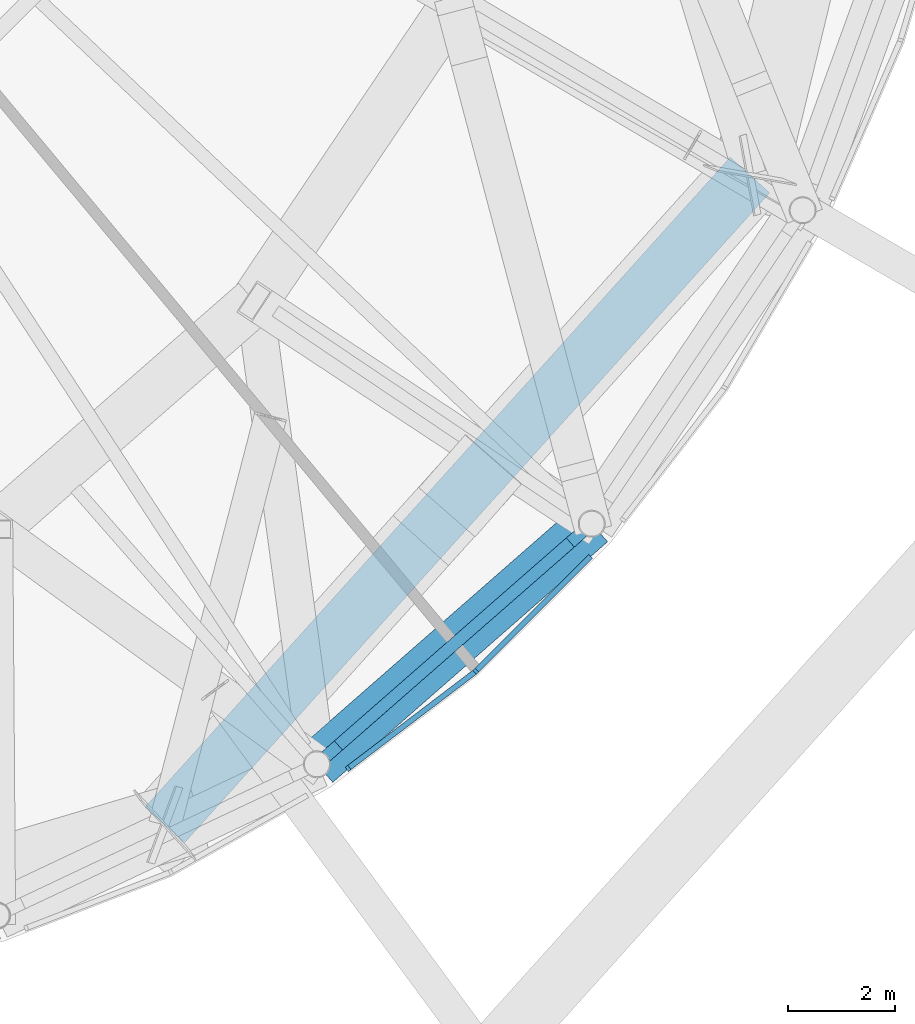
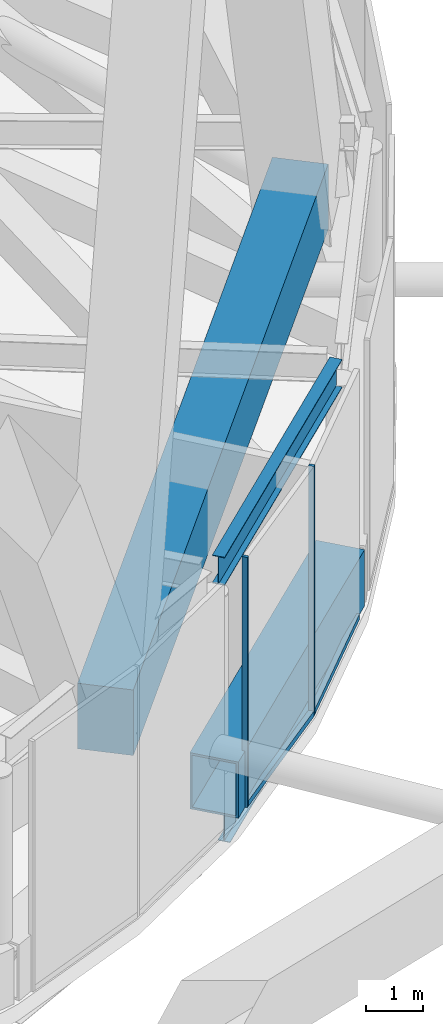
# One storey, part 18 of 60: 5 members, 3 beams, 2 elements without a shape of their own.
"""IFC4 building model written with IfcOpenShell, lengths in metres."""

from ifc_helpers import new_model, si_unit, direction, frame, origin, origin_2d, place, context, subcontext, project, spatial, rectangle, hollow_rectangle, i_section, extrude, material, layer, layer_set, material_profile, profile_set, type_object, element, aggregate, save


model = new_model("IFC4")

# Units and contexts
model_context = context("Model", 3, precision=1e-05, world=origin(), true_north=direction((0.0, 1.0)))
body_context = subcontext(model_context, "Body", "Model", "MODEL_VIEW")
ifc_project = project(units=[si_unit("LENGTHUNIT", "METRE"), si_unit("AREAUNIT", "SQUARE_METRE"), si_unit("VOLUMEUNIT", "CUBIC_METRE"), si_unit("PLANEANGLEUNIT", "RADIAN"), si_unit("MASSUNIT", "GRAM", prefix="KILO")], contexts=[model_context])

# Site, building, storey
site_placement = place(None, origin())
site = spatial("IfcSite", under=ifc_project, at=site_placement, CompositionType="ELEMENT")
building_placement = place(site_placement, origin())
building = spatial("IfcBuilding", under=site, at=building_placement, Name="Nagisa Residences", CompositionType="ELEMENT")
storey_placement = place(building_placement, frame((0.0, 0.0, 206.60009765625)))
storey = spatial("IfcBuildingStorey", under=building, at=storey_placement, Name="L52", CompositionType="ELEMENT", Elevation=206.60009765625)

# Beam
ifc_material_1 = material(Name="Steel ASTM A572 Gr 50", Category="steel")
ifc_material_profile_1 = material_profile(ifc_material_1, hollow_rectangle(XDim=0.89990234375, YDim=1.199951171875, WallThickness=0.044921875, at=origin_2d()), Name="BX 900x1200x45")
ifc_profile_set_1 = profile_set([ifc_material_profile_1], Name="Steel ASTM A572 Gr 50")
beam_type_1 = type_object("IfcBeamType", Name="Belt chord 4 BX 900x1200x45", PredefinedType="BEAM", material=ifc_profile_set_1)
beam_1_placement = place(storey_placement, frame((16.03759765625, -24.573486328125, 0.599853515625), z_axis=(0.752459604725, 0.658638400989, 0.0), x_axis=(-0.658638400989, 0.752459604725, 0.0)))
element("IfcBeam", 1, at=beam_1_placement, inside=storey, type_object=beam_type_1, Name="beam:L52:bt4b21", PredefinedType="BEAM", context=body_context, shape_type="SweptSolid", body=[
    extrude(hollow_rectangle(XDim=0.89990234375, YDim=1.199951171875, WallThickness=0.044921875, at=origin_2d()), origin(), (0.0, 0.0, 1.0), 6.846435546875),
])

# Curtain wall, member
ifc_material_2 = material(Name="Aluminium curtain wall system", Category="aluminium")
ifc_layer = layer(ifc_material_2, 0.159912109375)
ifc_layer_set = layer_set([ifc_layer], Name="CW5 CURTAIN WALL")
curtain_wall_type = type_object("IfcCurtainWallType", Name="CW5 CURTAIN WALL", PredefinedType="NOTDEFINED", material=ifc_layer_set)
curtain_wall_1_placement = place(storey_placement, origin())
curtain_wall_1 = element("IfcCurtainWall", 2, at=curtain_wall_1_placement, inside=storey, type_object=curtain_wall_type, Name="cw:CW5:L52:40", PredefinedType="NOTDEFINED")
ifc_material_3 = material(Name="Aluminium", Category="aluminium")
ifc_material_profile_2 = material_profile(ifc_material_3, rectangle(XDim=0.10009765625, YDim=0.06005859375, at=origin_2d()), Name="CW5 MULLION 100x60")
ifc_profile_set_2 = profile_set([ifc_material_profile_2], Name="Aluminium")
member_type_1 = type_object("IfcMemberType", Name="CW5 MULLION 100x60", PredefinedType="MULLION", material=ifc_profile_set_2)
member_1_placement = place(storey_placement, frame((16.62109375, -24.65234375, 0.0), z_axis=(0.0, 0.0, 1.0), x_axis=(-0.605255421737, 0.79603132756, 0.0)))
member_1 = element("IfcMember", 3, at=member_1_placement, type_object=member_type_1, Name="CW5 mullion", PredefinedType="MULLION", context=body_context, shape_type="SweptSolid", body=[
    extrude(rectangle(XDim=0.10009765625, YDim=0.06005859375, at=origin_2d()), origin(), (0.0, 0.0, 1.0), 5.33984375),
])

curtain_wall_2_placement = place(storey_placement, origin())
curtain_wall_2 = element("IfcCurtainWall", 4, at=curtain_wall_2_placement, inside=storey, type_object=curtain_wall_type, Name="cw:CW5:L52:41", PredefinedType="NOTDEFINED")
member_2_placement = place(storey_placement, frame((19.011962890625, -22.830322265625, 0.0), z_axis=(0.0, 0.0, 1.0), x_axis=(-0.706376885714, 0.707835924016, 0.0)))
member_2 = element("IfcMember", 5, at=member_2_placement, type_object=member_type_1, Name="CW5 mullion", PredefinedType="MULLION", context=body_context, shape_type="SweptSolid", body=[
    extrude(rectangle(XDim=0.10009765625, YDim=0.06005859375, at=origin_2d()), origin(), (0.0, 0.0, 1.0), 5.33984375),
])

# Member
ifc_material_4 = material(Name="Aluminium", Category="aluminium")
ifc_material_profile_3 = material_profile(ifc_material_4, rectangle(XDim=0.10009765625, YDim=0.1201171875, at=origin_2d()), Name="CW5 TRANSOM 100x120")
ifc_profile_set_3 = profile_set([ifc_material_profile_3], Name="Aluminium")
member_type_2 = type_object("IfcMemberType", Name="CW5 TRANSOM 100x120", PredefinedType="USERDEFINED", material=ifc_profile_set_3)
member_3_placement = place(storey_placement, frame((16.597412109375, -24.67041015625, 0.059814453125), z_axis=(0.796020258736, 0.605269979167, 0.0), x_axis=(-0.605269979167, 0.796020258736, 0.0)))
member_3 = element("IfcMember", 6, at=member_3_placement, type_object=member_type_2, Name="CW5 transom", ObjectType="TRANSOM", PredefinedType="USERDEFINED", context=body_context, shape_type="SweptSolid", body=[
    extrude(rectangle(XDim=0.10009765625, YDim=0.1201171875, at=origin_2d()), origin(), (0.0, 0.0, 1.0), 3.0166015625),
])

aggregate(curtain_wall_1, [member_1, member_3])

member_4_placement = place(storey_placement, frame((18.99072265625, -22.8515625, 0.059814453125), z_axis=(0.707820829563, 0.706392011022, 0.0), x_axis=(-0.706392011022, 0.707820829563, 0.0)))
member_4 = element("IfcMember", 7, at=member_4_placement, type_object=member_type_2, Name="CW5 transom", ObjectType="TRANSOM", PredefinedType="USERDEFINED", context=body_context, shape_type="SweptSolid", body=[
    extrude(rectangle(XDim=0.10009765625, YDim=0.1201171875, at=origin_2d()), origin(), (0.0, 0.0, 1.0), 3.07568359375),
])

aggregate(curtain_wall_2, [member_2, member_4])

ifc_material_5 = material(Name="Concrete C80", Category="concrete")
ifc_material_profile_4 = material_profile(ifc_material_5, rectangle(XDim=1.0, YDim=1.39990234375, at=origin_2d()), Name="C80 1000x1400")
ifc_profile_set_4 = profile_set([ifc_material_profile_4], Name="Concrete C80")
member_type_3 = type_object("IfcMemberType", Name="Cage ring 5 C80 1000x1400", PredefinedType="CHORD", material=ifc_profile_set_4)
member_5_placement = place(storey_placement, frame((13.18505859375, -25.71240234375, 3.699951171875), z_axis=(0.669071674915, 0.743197883357, 0.0), x_axis=(-0.743197883357, 0.669071674915, 0.0)))
element("IfcMember", 8, at=member_5_placement, inside=storey, type_object=member_type_3, Name="beam:L52:cg5r011", PredefinedType="CHORD", context=body_context, shape_type="SweptSolid", body=[
    extrude(rectangle(XDim=1.0, YDim=1.39990234375, at=origin_2d()), origin(), (0.0, 0.0, 1.0), 16.3955078125),
])

# Beams
ifc_material_6 = material(Name="Steel ASTM A572 Gr 50", Category="steel")
ifc_material_profile_5 = material_profile(ifc_material_6, i_section(OverallWidth=0.22802734375, OverallDepth=0.60302734375, WebThickness=0.010498046875, FlangeThickness=0.014892578125, at=origin_2d()), Name="W610x101")
ifc_profile_set_5 = profile_set([ifc_material_profile_5], Name="Steel ASTM A572 Gr 50")
beam_type_2 = type_object("IfcBeamType", Name="Garden edge beam W610x101", PredefinedType="BEAM", material=ifc_profile_set_5)
beam_2_placement = place(storey_placement, frame((16.213623046875, -24.41943359375, 5.038330078125), z_axis=(0.752455758905, 0.65864279461, 0.0), x_axis=(-0.65864279461, 0.752455758905, 0.0)))
element("IfcBeam", 9, at=beam_2_placement, inside=storey, type_object=beam_type_2, Name="beam:L52:bt4ge21", PredefinedType="BEAM", context=body_context, shape_type="SweptSolid", body=[
    extrude(i_section(OverallWidth=0.22802734375, OverallDepth=0.60302734375, WebThickness=0.010498046875, FlangeThickness=0.014892578125, at=origin_2d()), origin(), (0.0, 0.0, 1.0), 6.37841796875),
])
ifc_material_7 = material(Name="Steel ASTM A572 Gr 50", Category="steel")
ifc_material_profile_6 = material_profile(ifc_material_7, i_section(OverallWidth=0.22802734375, OverallDepth=0.60302734375, WebThickness=0.010498046875, FlangeThickness=0.014892578125, at=origin_2d()), Name="W610x101")
ifc_profile_set_6 = profile_set([ifc_material_profile_6], Name="Steel ASTM A572 Gr 50")
beam_type_3 = type_object("IfcBeamType", Name="Perimeter ring beam W610x101", PredefinedType="BEAM", material=ifc_profile_set_6)
beam_3_placement = place(storey_placement, frame((16.440185546875, -24.220947265625, -0.651611328125), z_axis=(0.752461486776, 0.658636250838, 0.0), x_axis=(-0.658636250838, 0.752461486776, 0.0)))
element("IfcBeam", 10, at=beam_3_placement, inside=storey, type_object=beam_type_3, Name="beam:L52:pb21", PredefinedType="BEAM", context=body_context, shape_type="SweptSolid", body=[
    extrude(i_section(OverallWidth=0.22802734375, OverallDepth=0.60302734375, WebThickness=0.010498046875, FlangeThickness=0.014892578125, at=origin_2d()), origin(), (0.0, 0.0, 1.0), 5.776611328125),
])

save(model, "model.ifc")
